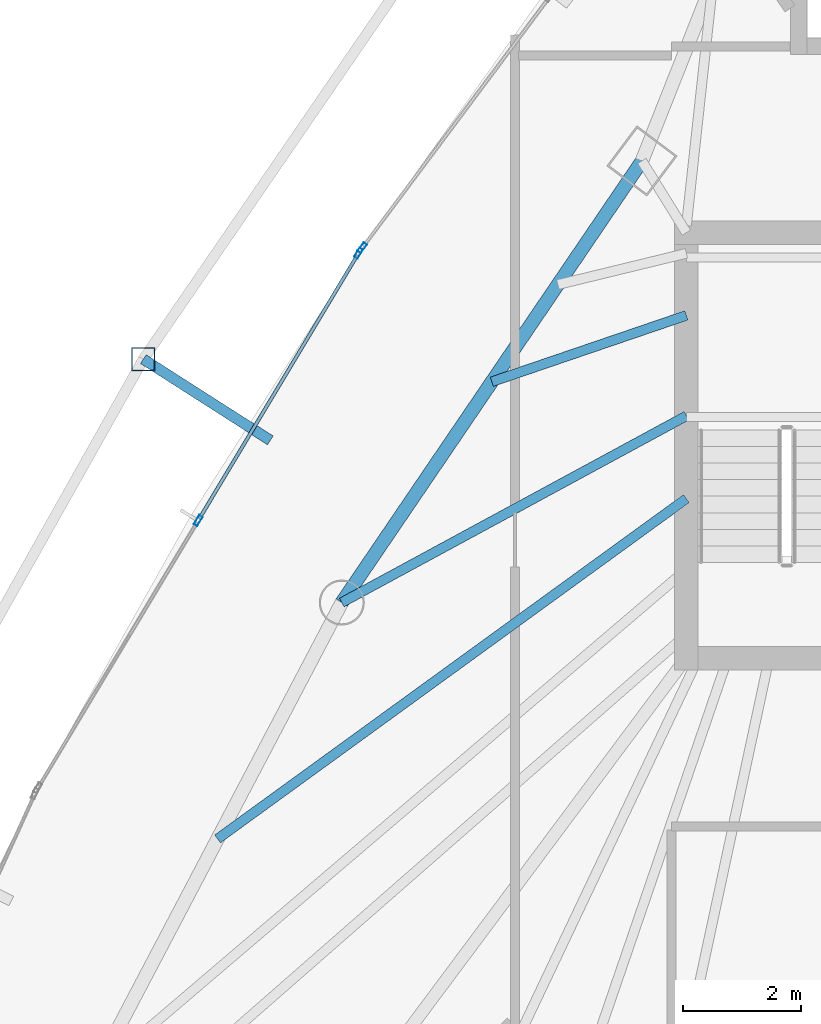
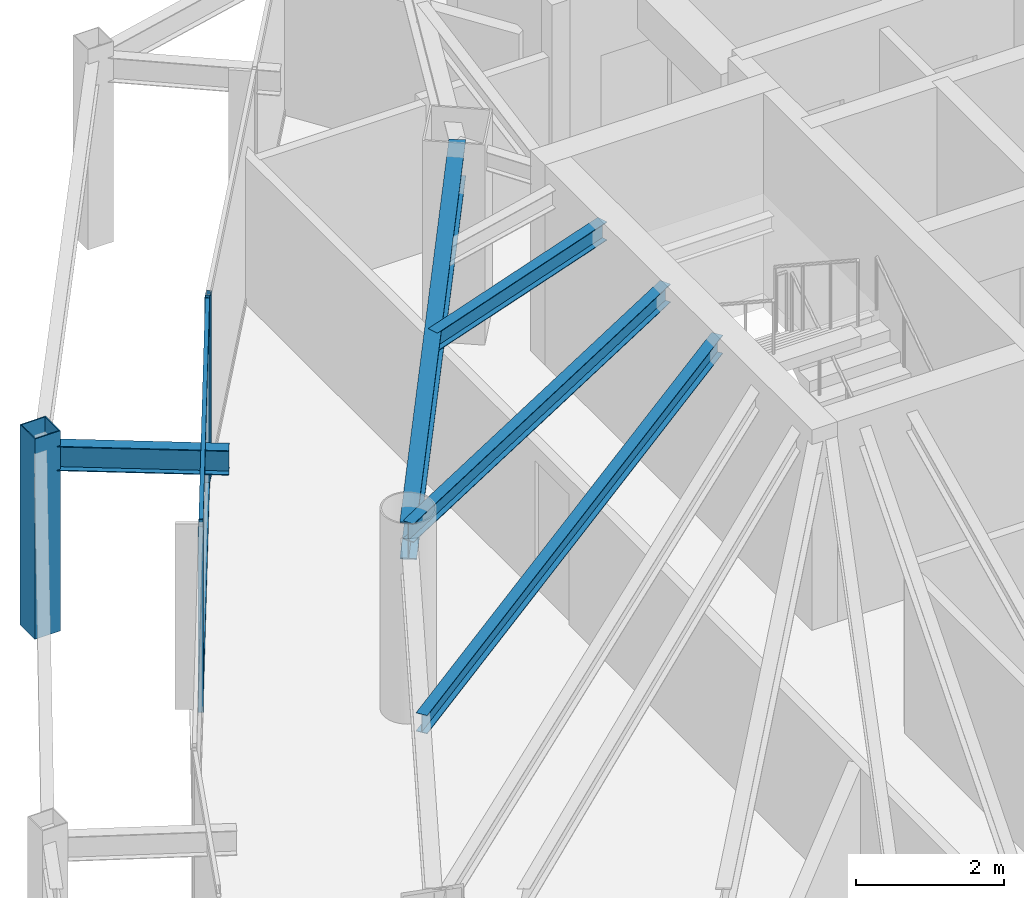
# One storey, part 12 of 30: 6 members, 5 beams, 2 elements without a shape of their own.
"""IFC4 building model written with IfcOpenShell, lengths in metres."""

from ifc_helpers import new_model, si_unit, direction, frame, origin, origin_2d, place, context, subcontext, project, spatial, hollow_rectangle, i_section, extrude, material, layer, layer_set, material_profile, profile_set, type_object, element, aggregate, save


model = new_model("IFC4")

# Units and contexts
model_context = context("Model", 3, precision=1e-05, world=origin(), true_north=direction((0.0, 1.0)))
body_context = subcontext(model_context, "Body", "Model", "MODEL_VIEW")
ifc_project = project(units=[si_unit("LENGTHUNIT", "METRE"), si_unit("AREAUNIT", "SQUARE_METRE"), si_unit("VOLUMEUNIT", "CUBIC_METRE"), si_unit("PLANEANGLEUNIT", "RADIAN"), si_unit("MASSUNIT", "GRAM", prefix="KILO")], contexts=[model_context])

# Site, building, storey
site_placement = place(None, origin())
site = spatial("IfcSite", under=ifc_project, at=site_placement, CompositionType="ELEMENT")
building_placement = place(site_placement, origin())
building = spatial("IfcBuilding", under=site, at=building_placement, Name="Orvanel Arch Residences", CompositionType="ELEMENT")
storey_placement = place(building_placement, frame((0.0, 0.0, 180.35009765625)))
storey = spatial("IfcBuildingStorey", under=building, at=storey_placement, Name="L51", CompositionType="ELEMENT", Elevation=180.35009765625)

# Beams
ifc_material_1 = material(Name="Structural steel AS/NZS 3679.1 Grade 300 (300 MPa)", Category="steel")
ifc_material_profile_1 = material_profile(ifc_material_1, i_section(OverallWidth=0.1650390625, OverallDepth=0.303955078125, WebThickness=0.006103515625, FlangeThickness=0.01025390625, at=origin_2d()), Name="310UB40.4")
ifc_profile_set_1 = profile_set([ifc_material_profile_1], Name="Structural steel AS/NZS 3679.1 Grade 300 (300 MPa)")
beam_type_1 = type_object("IfcBeamType", Name="BJ-310UB", PredefinedType="JOIST", material=ifc_profile_set_1)
beam_1_placement = place(storey_placement, frame((26.39990234375, 30.800048828125, 2.907958984375), z_axis=(-0.87925534649, -0.476350748576, 0.0), x_axis=(0.476350748576, -0.87925534649, 0.0)))
element("IfcBeam", 1, at=beam_1_placement, inside=storey, type_object=beam_type_1, Name="L51 NW Wing Floor Joist", PredefinedType="JOIST", context=body_context, shape_type="SweptSolid", body=[
    extrude(i_section(OverallWidth=0.1650390625, OverallDepth=0.303955078125, WebThickness=0.006103515625, FlangeThickness=0.01025390625, at=origin_2d()), origin(), (0.0, 0.0, 1.0), 6.631591796875),
])
beam_2_placement = place(storey_placement, frame((26.39990234375, 32.5, 2.907958984375), z_axis=(-0.946441958332, -0.322873999431, 0.0), x_axis=(0.322873999431, -0.946441958332, 0.0)))
element("IfcBeam", 2, at=beam_2_placement, inside=storey, type_object=beam_type_1, Name="L51 WNW Wing Floor Joist", PredefinedType="JOIST", context=body_context, shape_type="SweptSolid", body=[
    extrude(i_section(OverallWidth=0.1650390625, OverallDepth=0.303955078125, WebThickness=0.006103515625, FlangeThickness=0.01025390625, at=origin_2d()), origin(), (0.0, 0.0, 1.0), 3.478271484375),
])
beam_3_placement = place(storey_placement, frame((26.39990234375, 29.39990234375, 2.907958984375), z_axis=(-0.809261403954, -0.587448704203, 0.0), x_axis=(0.587448704203, -0.809261403954, 0.0)))
element("IfcBeam", 3, at=beam_3_placement, inside=storey, type_object=beam_type_1, Name="L51 CTW Wing Floor Joist", PredefinedType="JOIST", context=body_context, shape_type="SweptSolid", body=[
    extrude(i_section(OverallWidth=0.1650390625, OverallDepth=0.303955078125, WebThickness=0.006103515625, FlangeThickness=0.01025390625, at=origin_2d()), origin(), (0.0, 0.0, 1.0), 9.80126953125),
])

# Curtain wall, member
ifc_material_2 = material(Name="Bronze-anodised aluminium AA6063-T6", Category="aluminium")
ifc_layer = layer(ifc_material_2, 0.179931640625)
ifc_layer_set = layer_set([ifc_layer], Name="Bronze-anodised aluminium AA6063-T6")
curtain_wall_type = type_object("IfcCurtainWallType", Name="CW3-MID-SYS", PredefinedType="NOTDEFINED", material=ifc_layer_set)
curtain_wall_1_placement = place(storey_placement, origin())
curtain_wall_1 = element("IfcCurtainWall", 4, at=curtain_wall_1_placement, inside=storey, type_object=curtain_wall_type, Name="L51 CW3-MID-SYS Unitised Curtain Wall", PredefinedType="NOTDEFINED")
ifc_material_profile_2 = material_profile(ifc_material_2, hollow_rectangle(XDim=0.070068359375, YDim=0.179931640625, WallThickness=0.00439453125, at=origin_2d()), Name="ALU180x70x4.5")
ifc_profile_set_2 = profile_set([ifc_material_profile_2], Name="Bronze-anodised aluminium AA6063-T6")
member_type_1 = type_object("IfcMemberType", Name="MUL-180x70", PredefinedType="MULLION", material=ifc_profile_set_2)
member_1_placement = place(storey_placement, frame((20.9140625, 33.64306640625, 0.0), z_axis=(0.0, 0.0, 1.0), x_axis=(0.801167631356, -0.598439994041, 0.0)))
member_1 = element("IfcMember", 5, at=member_1_placement, type_object=member_type_1, Name="CW-S3 mullion 3", PredefinedType="MULLION", context=body_context, shape_type="SweptSolid", body=[
    extrude(hollow_rectangle(XDim=0.070068359375, YDim=0.179931640625, WallThickness=0.00439453125, at=origin_2d()), origin(), (0.0, 0.0, 1.0), 3.059814453125),
])
aggregate(curtain_wall_1, [member_1])

# Curtain wall, members
curtain_wall_2_placement = place(storey_placement, origin())
curtain_wall_2 = element("IfcCurtainWall", 6, at=curtain_wall_2_placement, inside=storey, type_object=curtain_wall_type, Name="L51 CW3-MID-SYS Unitised Curtain Wall", PredefinedType="NOTDEFINED")
member_2_placement = place(storey_placement, frame((20.85302734375, 33.552001953125, 0.0), z_axis=(0.0, 0.0, 1.0), x_axis=(0.857567687153, -0.514371132502, 0.0)))
member_2 = element("IfcMember", 7, at=member_2_placement, type_object=member_type_1, Name="CW-S3 mullion 1", PredefinedType="MULLION", context=body_context, shape_type="SweptSolid", body=[
    extrude(hollow_rectangle(XDim=0.070068359375, YDim=0.179931640625, WallThickness=0.00439453125, at=origin_2d()), origin(), (0.0, 0.0, 1.0), 3.059814453125),
])
member_3_placement = place(storey_placement, frame((18.139404296875, 29.028076171875, 0.0), z_axis=(0.0, 0.0, 1.0), x_axis=(0.857567687153, -0.514371132502, 0.0)))
member_3 = element("IfcMember", 8, at=member_3_placement, type_object=member_type_1, Name="CW-S3 mullion 2", PredefinedType="MULLION", context=body_context, shape_type="SweptSolid", body=[
    extrude(hollow_rectangle(XDim=0.070068359375, YDim=0.179931640625, WallThickness=0.00439453125, at=origin_2d()), origin(), (0.0, 0.0, 1.0), 3.059814453125),
])

# Beams
ifc_material_profile_3 = material_profile(ifc_material_1, i_section(OverallWidth=0.177978515625, OverallDepth=0.406005859375, WebThickness=0.0078125, FlangeThickness=0.0126953125, at=origin_2d()), Name="410UB59.7")
ifc_profile_set_3 = profile_set([ifc_material_profile_3], Name="Structural steel AS/NZS 3679.1 Grade 300 (300 MPa)")
beam_type_2 = type_object("IfcBeamType", Name="OB-410UB-EXT", PredefinedType="SPANDREL", material=ifc_profile_set_3)
beam_4_placement = place(storey_placement, frame((19.360107421875, 30.385009765625, 2.85693359375), z_axis=(-0.842417425066, 0.538825465197, 0.0), x_axis=(-0.538825465197, -0.842417425066, 0.0)))
element("IfcBeam", 9, at=beam_4_placement, inside=storey, type_object=beam_type_2, Name="L51 Outer Frame Radial Tie Beam 02", PredefinedType="SPANDREL", context=body_context, shape_type="SweptSolid", body=[
    extrude(i_section(OverallWidth=0.177978515625, OverallDepth=0.406005859375, WebThickness=0.0078125, FlangeThickness=0.0126953125, at=origin_2d()), origin(), (0.0, 0.0, 1.0), 2.550048828125),
])
ifc_material_profile_4 = material_profile(ifc_material_1, i_section(OverallWidth=0.22900390625, OverallDepth=0.612060546875, WebThickness=0.011962890625, FlangeThickness=0.01953125, at=origin_2d()), Name="610UB125")
ifc_profile_set_4 = profile_set([ifc_material_profile_4], Name="Structural steel AS/NZS 3679.1 Grade 300 (300 MPa)")
beam_type_3 = type_object("IfcBeamType", Name="SP-610UB", PredefinedType="SPANDREL", material=ifc_profile_set_4)
beam_5_placement = place(storey_placement, frame((25.64794921875, 35.113037109375, 2.75390625), z_axis=(-0.562154793153, -0.827032035978, 0.0), x_axis=(0.827032035978, -0.562154793153, 0.0)))
element("IfcBeam", 10, at=beam_5_placement, inside=storey, type_object=beam_type_3, Name="L51 Perimeter Spandrel Beam 17", PredefinedType="SPANDREL", context=body_context, shape_type="SweptSolid", body=[
    extrude(i_section(OverallWidth=0.22900390625, OverallDepth=0.612060546875, WebThickness=0.011962890625, FlangeThickness=0.01953125, at=origin_2d()), origin(), (0.0, 0.0, 1.0), 9.03466796875),
])

# Member
ifc_material_3 = material(Name="Structural steel AS/NZS 1163 C450L0 (Grade 450)", Category="steel")
ifc_material_profile_5 = material_profile(ifc_material_3, hollow_rectangle(XDim=0.39990234375, YDim=0.39990234375, WallThickness=0.01611328125, at=origin_2d()), Name="SHS400x400x16")
ifc_profile_set_5 = profile_set([ifc_material_profile_5], Name="Structural steel AS/NZS 1163 C450L0 (Grade 450)")
member_type_2 = type_object("IfcMemberType", Name="ST-400SHS-EXT", PredefinedType="STRUT", material=ifc_profile_set_5)
member_4_placement = place(storey_placement, frame((17.2119140625, 31.759033203125, 0.0), z_axis=(0.0, 0.0, 1.0), x_axis=(1.0, 0.0, 0.0)))
element("IfcMember", 11, at=member_4_placement, inside=storey, type_object=member_type_2, Name="L51 Outer Perimeter Frame Post 02", PredefinedType="STRUT", context=body_context, shape_type="SweptSolid", body=[
    extrude(hollow_rectangle(XDim=0.39990234375, YDim=0.39990234375, WallThickness=0.01611328125, at=origin_2d()), origin(), (0.0, 0.0, 1.0), 3.2998046875),
])

ifc_material_profile_6 = material_profile(ifc_material_2, hollow_rectangle(XDim=0.06005859375, YDim=0.135009765625, WallThickness=0.00390625, at=origin_2d()), Name="ALU135x60x4")
ifc_profile_set_6 = profile_set([ifc_material_profile_6], Name="Bronze-anodised aluminium AA6063-T6")
member_type_3 = type_object("IfcMemberType", Name="TRN-135x60", PredefinedType="USERDEFINED", material=ifc_profile_set_6)
member_5_placement = place(storey_placement, frame((20.8349609375, 33.52197265625, 0.02978515625), z_axis=(-0.514378494646, -0.857563271278, 0.0), x_axis=(0.857563271278, -0.514378494646, 0.0)))
member_5 = element("IfcMember", 12, at=member_5_placement, type_object=member_type_3, Name="CW-S3 transom 1.1", ObjectType="TRANSOM", PredefinedType="USERDEFINED", context=body_context, shape_type="SweptSolid", body=[
    extrude(hollow_rectangle(XDim=0.06005859375, YDim=0.135009765625, WallThickness=0.00390625, at=origin_2d()), origin(), (0.0, 0.0, 1.0), 5.205322265625),
])

member_6_placement = place(storey_placement, frame((20.8349609375, 33.52197265625, 3.02978515625), z_axis=(-0.514378494646, -0.857563271278, 0.0), x_axis=(0.857563271278, -0.514378494646, 0.0)))
member_6 = element("IfcMember", 13, at=member_6_placement, type_object=member_type_3, Name="CW-S3 transom 1.2", ObjectType="TRANSOM", PredefinedType="USERDEFINED", context=body_context, shape_type="SweptSolid", body=[
    extrude(hollow_rectangle(XDim=0.06005859375, YDim=0.135009765625, WallThickness=0.00390625, at=origin_2d()), origin(), (0.0, 0.0, 1.0), 5.205322265625),
])

aggregate(curtain_wall_2, [member_2, member_3, member_5, member_6])

save(model, "model.ifc")
